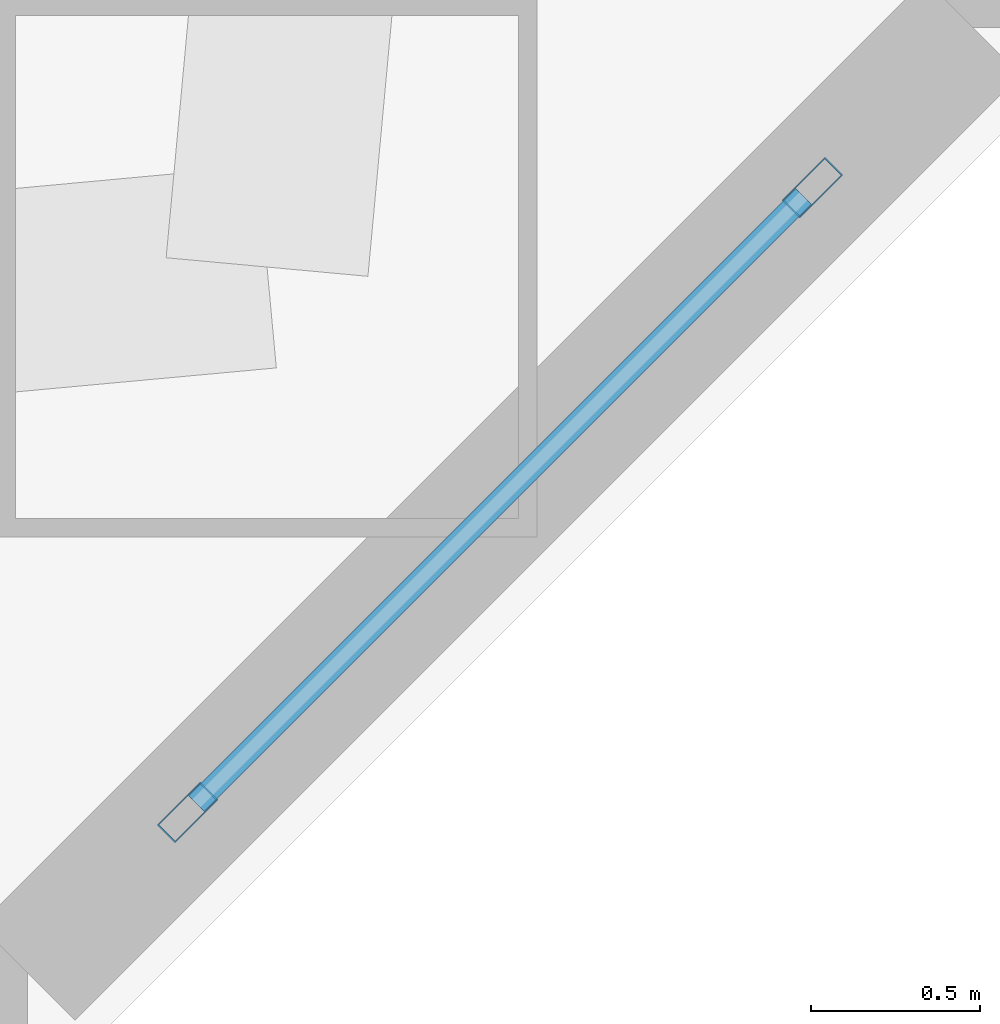
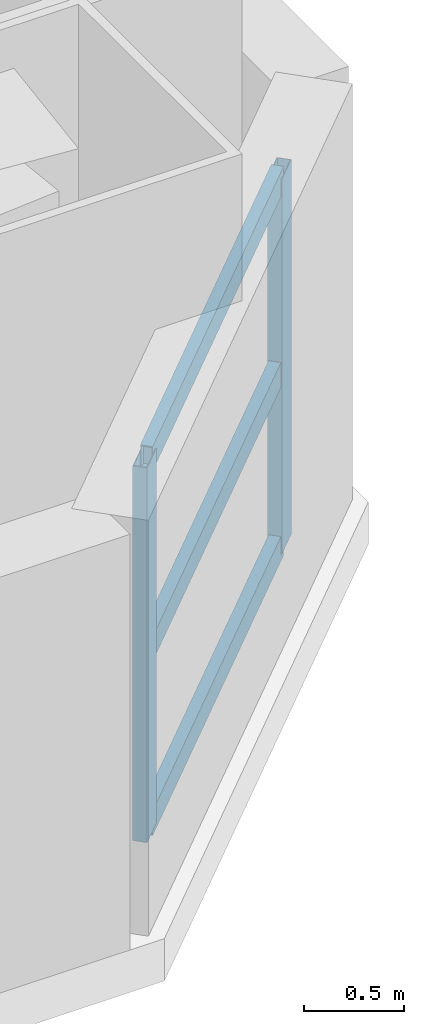
# One storey, part 3 of 23: 5 members, 1 element without a shape of its own.
"""IFC4 building model written with IfcOpenShell, lengths in metres."""

from ifc_helpers import new_model, si_unit, direction, frame, origin, origin_2d, place, context, subcontext, project, spatial, hollow_rectangle, extrude, material, layer, layer_set, material_profile, profile_set, type_object, element, aggregate, save


model = new_model("IFC4")

# Units and contexts
model_context = context("Model", 3, precision=1e-05, world=origin(), true_north=direction((0.0, 1.0)))
body_context = subcontext(model_context, "Body", "Model", "MODEL_VIEW")
ifc_project = project(units=[si_unit("LENGTHUNIT", "METRE"), si_unit("AREAUNIT", "SQUARE_METRE"), si_unit("VOLUMEUNIT", "CUBIC_METRE"), si_unit("PLANEANGLEUNIT", "RADIAN"), si_unit("MASSUNIT", "GRAM", prefix="KILO")], contexts=[model_context])

# Site, building, storey
site_placement = place(None, origin())
site = spatial("IfcSite", under=ifc_project, at=site_placement, CompositionType="ELEMENT")
building_placement = place(site_placement, origin())
building = spatial("IfcBuilding", under=site, at=building_placement, Name="Qiaolan Cultural Towers", CompositionType="ELEMENT")
storey_placement = place(building_placement, frame((0.0, 0.0, 100.050048828125)))
storey = spatial("IfcBuildingStorey", under=building, at=storey_placement, Name="L25", CompositionType="ELEMENT", Elevation=100.050048828125)

# Curtain wall, members
ifc_material_1 = material(Name="Unitized Anodized Aluminium Curtain Wall System", Category="aluminium")
ifc_layer = layer(ifc_material_1, 0.199951171875)
ifc_layer_set = layer_set([ifc_layer], Name="Unitized Anodized Aluminium Curtain Wall System")
curtain_wall_type = type_object("IfcCurtainWallType", Name="CWS-03", PredefinedType="NOTDEFINED", material=ifc_layer_set)
curtain_wall_placement = place(storey_placement, origin())
curtain_wall = element("IfcCurtainWall", 1, at=curtain_wall_placement, inside=storey, type_object=curtain_wall_type, Name="L25 T1 Chamfer Wind-Corner Feature Curtain Wall 2", PredefinedType="NOTDEFINED")
ifc_material_2 = material(Name="Extruded Aluminium 6063-T6", Category="aluminium")
ifc_material_profile_1 = material_profile(ifc_material_2, hollow_rectangle(XDim=0.074951171875, YDim=0.179931640625, WallThickness=0.00390625, at=origin_2d()), Name="CWM-180x75x4")
ifc_profile_set_1 = profile_set([ifc_material_profile_1], Name="Extruded Aluminium 6063-T6")
member_type_1 = type_object("IfcMemberType", Name="CWS-03-MUL", PredefinedType="MULLION", material=ifc_profile_set_1)
member_1_placement = place(storey_placement, frame((48.325439453125, 8.525390625, 0.14990234375), z_axis=(0.0, 0.0, 1.0), x_axis=(0.707106781187, -0.707106781187, 0.0)))
member_1 = element("IfcMember", 2, at=member_1_placement, type_object=member_type_1, Name="CW-3 mullion 1", PredefinedType="MULLION", context=body_context, shape_type="SweptSolid", body=[
    extrude(hollow_rectangle(XDim=0.074951171875, YDim=0.179931640625, WallThickness=0.00390625, at=origin_2d()), origin(), (0.0, 0.0, 1.0), 2.300048828125),
])
member_2_placement = place(storey_placement, frame((46.474609375, 6.674560546875, 0.14990234375), z_axis=(0.0, 0.0, 1.0), x_axis=(0.707106781187, -0.707106781187, 0.0)))
member_2 = element("IfcMember", 3, at=member_2_placement, type_object=member_type_1, Name="CW-3 mullion 2", PredefinedType="MULLION", context=body_context, shape_type="SweptSolid", body=[
    extrude(hollow_rectangle(XDim=0.074951171875, YDim=0.179931640625, WallThickness=0.00390625, at=origin_2d()), origin(), (0.0, 0.0, 1.0), 2.300048828125),
])
ifc_material_3 = material(Name="Extruded Aluminium 6063-T6", Category="aluminium")
ifc_material_profile_2 = material_profile(ifc_material_3, hollow_rectangle(XDim=0.06494140625, YDim=0.14990234375, WallThickness=0.00390625, at=origin_2d()), Name="CWT-150x65x4")
ifc_profile_set_2 = profile_set([ifc_material_profile_2], Name="Extruded Aluminium 6063-T6")
member_type_2 = type_object("IfcMemberType", Name="CWS-03-TRN", PredefinedType="USERDEFINED", material=ifc_profile_set_2)
member_3_placement = place(storey_placement, frame((48.299072265625, 8.4990234375, 0.182373046875), z_axis=(-0.707106781187, -0.707106781187, 0.0), x_axis=(0.707106781187, -0.707106781187, 0.0)))
member_3 = element("IfcMember", 4, at=member_3_placement, type_object=member_type_2, Name="CW-3 transom 1.1", ObjectType="TRANSOM", PredefinedType="USERDEFINED", context=body_context, shape_type="SweptSolid", body=[
    extrude(hollow_rectangle(XDim=0.06494140625, YDim=0.14990234375, WallThickness=0.00390625, at=origin_2d()), origin(), (0.0, 0.0, 1.0), 2.54296875),
])
member_4_placement = place(storey_placement, frame((48.299072265625, 8.4990234375, 1.25), z_axis=(-0.707106781187, -0.707106781187, 0.0), x_axis=(0.707106781187, -0.707106781187, 0.0)))
member_4 = element("IfcMember", 5, at=member_4_placement, type_object=member_type_2, Name="CW-3 transom 1.2", ObjectType="TRANSOM", PredefinedType="USERDEFINED", context=body_context, shape_type="SweptSolid", body=[
    extrude(hollow_rectangle(XDim=0.06494140625, YDim=0.14990234375, WallThickness=0.00390625, at=origin_2d()), origin(), (0.0, 0.0, 1.0), 2.54296875),
])
member_5_placement = place(storey_placement, frame((48.299072265625, 8.4990234375, 2.41748046875), z_axis=(-0.707106781187, -0.707106781187, 0.0), x_axis=(0.707106781187, -0.707106781187, 0.0)))
member_5 = element("IfcMember", 6, at=member_5_placement, type_object=member_type_2, Name="CW-3 transom 1.3", ObjectType="TRANSOM", PredefinedType="USERDEFINED", context=body_context, shape_type="SweptSolid", body=[
    extrude(hollow_rectangle(XDim=0.06494140625, YDim=0.14990234375, WallThickness=0.00390625, at=origin_2d()), origin(), (0.0, 0.0, 1.0), 2.54296875),
])
aggregate(curtain_wall, [member_1, member_2, member_3, member_4, member_5])

save(model, "model.ifc")
